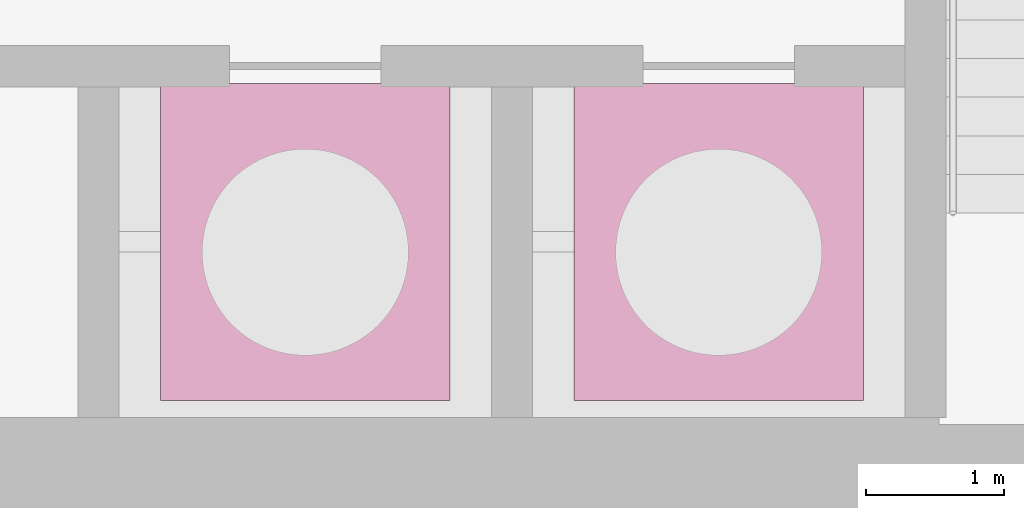
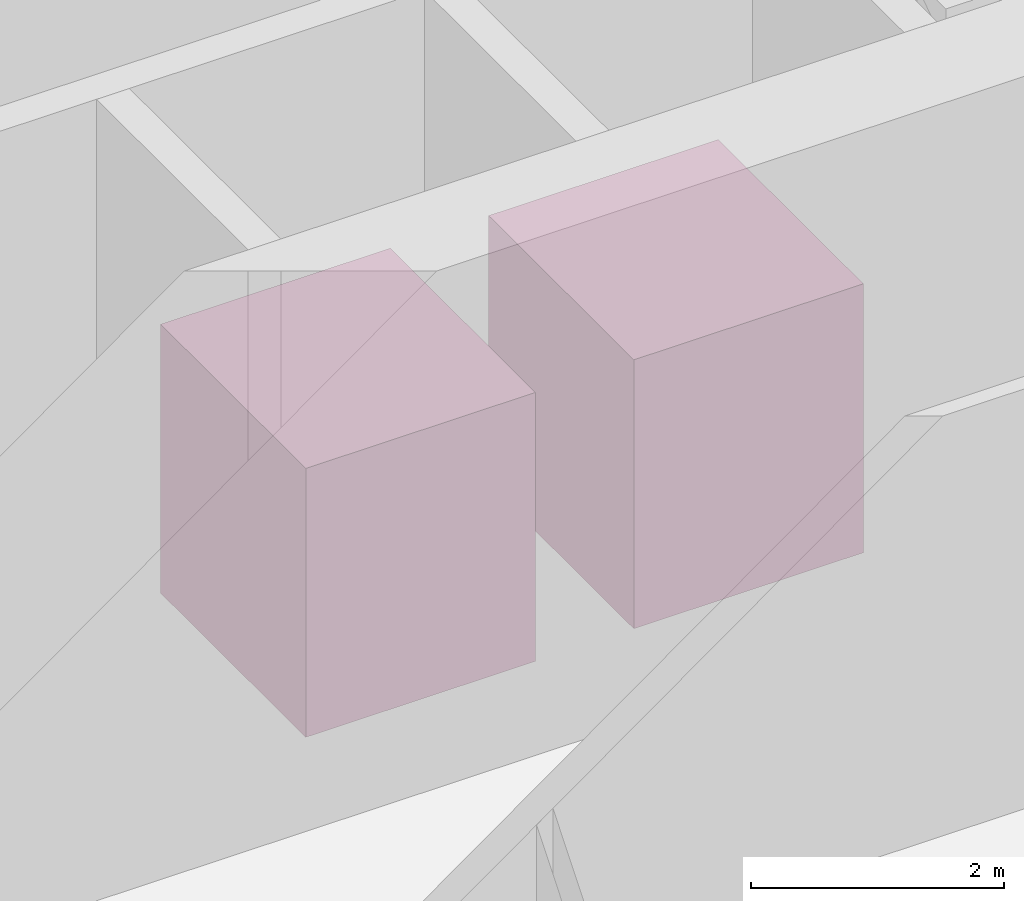
# One storey, part 10 of 10: 2 transport elements.
"""IFC4 building model written with IfcOpenShell, lengths in metres."""

from ifc_helpers import new_model, si_unit, direction, frame, origin, origin_2d, place, context, subcontext, project, spatial, rectangle, extrude, material, type_object, element, save


model = new_model("IFC4")

# Units and contexts
model_context = context("Model", 3, precision=1e-05, world=origin(), true_north=direction((0.0, 1.0)))
body_context = subcontext(model_context, "Body", "Model", "MODEL_VIEW")
ifc_project = project(units=[si_unit("LENGTHUNIT", "METRE"), si_unit("AREAUNIT", "SQUARE_METRE"), si_unit("VOLUMEUNIT", "CUBIC_METRE"), si_unit("PLANEANGLEUNIT", "RADIAN"), si_unit("MASSUNIT", "GRAM", prefix="KILO")], contexts=[model_context])

# Site, building, storey
site_placement = place(None, origin())
site = spatial("IfcSite", under=ifc_project, at=site_placement, CompositionType="ELEMENT")
building_placement = place(site_placement, origin())
building = spatial("IfcBuilding", under=site, at=building_placement, Name="Tskaro Facet Tower", CompositionType="ELEMENT")
storey_placement = place(building_placement, frame((0.0, 0.0, -5.0)))
storey = spatial("IfcBuildingStorey", under=building, at=storey_placement, Name="B1", CompositionType="ELEMENT", Elevation=-5.0)

# Transport elements
ifc_material = material(Name="LIFT-SV")
transport_element_type = type_object("IfcTransportElementType", Name="LIFT-SV", PredefinedType="ELEVATOR", material=ifc_material)
for number, where, z_axis, x_axis, name in (
    (1, (1.5, -10.22509765625, 0.0), (0.0, 0.0, 1.0), (1.0, 0.0, 0.0), "Service lift SV1"),
    (2, (4.5, -10.22509765625, 0.0), (0.0, 0.0, 1.0), (1.0, 0.0, 0.0), "Service lift SV2"),
):
    element("IfcTransportElement", number, at=place(storey_placement, frame(where, z_axis=z_axis, x_axis=x_axis)), inside=storey, type_object=transport_element_type, Name=name, PredefinedType="ELEVATOR", context=body_context, shape_type="SweptSolid", body=[
        extrude(rectangle(XDim=2.10009765625, YDim=2.300048828125, at=origin_2d()), origin(), (0.0, 0.0, 1.0), 2.60009765625),
    ])

save(model, "model.ifc")
